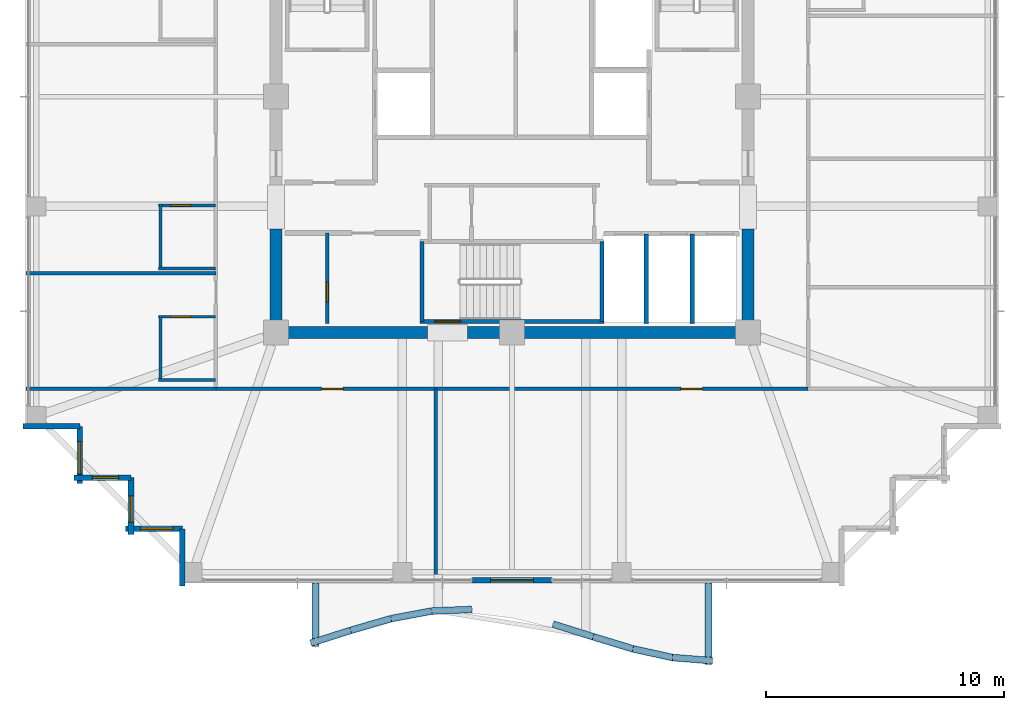
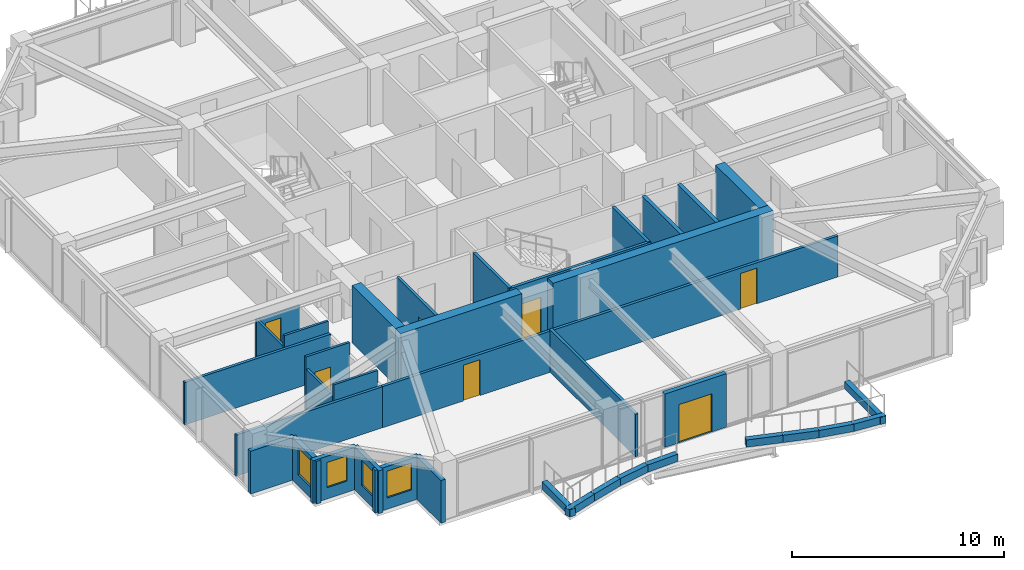
# One storey, part 30 of 36: 37 walls, 7 doors, 4 windows, 11 openings.
"""IFC4 building model written with IfcOpenShell, lengths in metres."""

from ifc_helpers import new_model, si_unit, direction, frame, frame_2d, origin, place, context, subcontext, project, spatial, rectangle, extrude, material, layer, layer_set, type_object, element, fill, save


model = new_model("IFC4")

# Units and contexts
model_context = context("Model", 3, precision=1e-05, world=origin(), true_north=direction((0.0, 1.0)))
body_context = subcontext(model_context, "Body", "Model", "MODEL_VIEW")
ifc_project = project(units=[si_unit("LENGTHUNIT", "METRE"), si_unit("AREAUNIT", "SQUARE_METRE"), si_unit("VOLUMEUNIT", "CUBIC_METRE"), si_unit("PLANEANGLEUNIT", "RADIAN"), si_unit("MASSUNIT", "GRAM", prefix="KILO")], contexts=[model_context])

# Site, building, storey
site_placement = place(None, origin())
site = spatial("IfcSite", under=ifc_project, at=site_placement, CompositionType="ELEMENT")
building_placement = place(site_placement, origin())
building = spatial("IfcBuilding", under=site, at=building_placement, Name="Kolvaren Belvedere", CompositionType="ELEMENT")
storey_placement = place(building_placement, frame((0.0, 0.0, 199.800048828125)))
storey = spatial("IfcBuildingStorey", under=building, at=storey_placement, Name="L58", CompositionType="ELEMENT", Elevation=199.800048828125)

# Walls
ifc_material_1 = material(Name="Concrete C50/60", Category="concrete")
ifc_layer_1 = layer(ifc_material_1, 0.5)
ifc_layer_set_1 = layer_set([ifc_layer_1], Name="Concrete C50/60")
wall_type_1 = type_object("IfcWallType", Name="CW-CORE-500", PredefinedType="SHEAR", material=ifc_layer_set_1)
wall_1_placement = place(storey_placement, frame((10.14990234375, -9.89990234375, 0.0), z_axis=(0.0, 0.0, 1.0), x_axis=(-1.0, 0.0, 0.0)))
element("IfcWall", 1, at=wall_1_placement, inside=storey, type_object=wall_type_1, Name="L58 South Core Shear Wall 1", PredefinedType="SHEAR", context=body_context, shape_type="SweptSolid", body=[
    extrude(rectangle(XDim=12.010009765625, YDim=0.5, at=frame_2d((6.0048828125, 0.0))), origin(), (0.0, 0.0, 1.0), 3.300048828125),
])
wall_2_placement = place(storey_placement, frame((-3.5400390625, -9.89990234375, 0.0), z_axis=(0.0, 0.0, 1.0), x_axis=(-1.0, 0.0, 0.0)))
element("IfcWall", 2, at=wall_2_placement, inside=storey, type_object=wall_type_1, Name="L58 South Core Shear Wall 2", PredefinedType="SHEAR", context=body_context, shape_type="SweptSolid", body=[
    extrude(rectangle(XDim=6.60986328125, YDim=0.5, at=frame_2d((3.304931640625, 0.0))), origin(), (0.0, 0.0, 1.0), 3.300048828125),
])
for number, where, z_axis, x_axis, name in (
    (3, (-9.89990234375, -9.64990234375, 0.0), (0.0, 0.0, 1.0), (0.0, 1.0, 0.0), "L58 West Core Shear Wall 1"),
    (4, (9.89990234375, -9.64990234375, 0.0), (0.0, 0.0, 1.0), (0.0, 1.0, 0.0), "L58 East Core Shear Wall 1"),
):
    element("IfcWall", number, at=place(storey_placement, frame(where, z_axis=z_axis, x_axis=x_axis)), inside=storey, type_object=wall_type_1, Name=name, PredefinedType="SHEAR", context=body_context, shape_type="SweptSolid", body=[
        extrude(rectangle(XDim=4.099853515625, YDim=0.5, at=frame_2d((2.0498046875, 0.0))), origin(), (0.0, 0.0, 1.0), 3.300048828125),
    ])

# Wall, opening, door
ifc_material_2 = material(Name="Concrete C50/60", Category="concrete")
ifc_layer_2 = layer(ifc_material_2, 0.159912109375)
ifc_layer_set_2 = layer_set([ifc_layer_2], Name="Concrete C50/60")
wall_type_2 = type_object("IfcWallType", Name="CW-STAIR-160", PredefinedType="SHEAR", material=ifc_layer_set_2)
wall_3_placement = place(storey_placement, frame((3.860107421875, -9.429931640625, 0.0), z_axis=(0.0, 0.0, 1.0), x_axis=(-1.0, 0.0, 0.0)))
wall_3 = element("IfcWall", 5, at=wall_3_placement, inside=storey, type_object=wall_type_2, Name="L58 Stair ST-3 South Shear Wall", PredefinedType="SHEAR", context=body_context, shape_type="SweptSolid", body=[
    extrude(rectangle(XDim=7.72021484375, YDim=0.159912109375, at=frame_2d((3.860107421875, 0.0))), origin(), (0.0, 0.0, 1.0), 3.300048828125),
])
opening_1_placement = place(wall_3_placement, frame((6.010009765625, 0.0, 0.0)))
opening_1 = element("IfcOpeningElement", 6, at=opening_1_placement, cuts=wall_3, Name="Opening D-FD90", PredefinedType="OPENING", context=body_context, shape_type="SweptSolid", body=[
    extrude(rectangle(XDim=1.10009765625, YDim=2.199951171875, at=frame_2d((0.550048828125, 1.10009765625))), frame((0.0, 0.08984375, 0.0), z_axis=(0.0, -1.0, 0.0), x_axis=(1.0, 0.0, 0.0)), (0.0, 0.0, 1.0), 0.179931640625),
])
ifc_material_3 = material(Name="Painted hollow stainless steel", Category="steel")
door_type_1 = type_object("IfcDoorType", Name="DR-FD90-1100", OperationType="NOTDEFINED", PredefinedType="DOOR", material=ifc_material_3)
door_1_placement = place(opening_1_placement, origin())
door_1 = element("IfcDoor", 7, at=door_1_placement, inside=storey, type_object=door_type_1, Name="L58 Stair ST-3 Exit Door", OperationType="SINGLE_SWING_RIGHT", OverallHeight=2.199951171875, OverallWidth=1.10009765625, PredefinedType="DOOR", context=body_context, shape_type="SweptSolid", body=[
    extrude(rectangle(XDim=1.10009765625, YDim=2.199951171875, at=frame_2d((0.550048828125, 1.10009765625))), frame((0.0, 0.02490234375, 0.0), z_axis=(0.0, -1.0, 0.0), x_axis=(1.0, 0.0, 0.0)), (0.0, 0.0, 1.0), 0.050048828125),
])
fill(opening_1, door_1)

# Walls
for number, where, z_axis, x_axis, name in (
    (8, (-3.780029296875, -9.429931640625, 0.0), (0.0, 0.0, 1.0), (0.0, 1.0, 0.0), "L58 Stair ST-3 West Shear Wall"),
    (9, (3.780029296875, -9.429931640625, 0.0), (0.0, 0.0, 1.0), (0.0, 1.0, 0.0), "L58 Stair ST-3 East Shear Wall"),
):
    element("IfcWall", number, at=place(storey_placement, frame(where, z_axis=z_axis, x_axis=x_axis)), inside=storey, type_object=wall_type_2, Name=name, PredefinedType="SHEAR", context=body_context, shape_type="SweptSolid", body=[
        extrude(rectangle(XDim=3.349853515625, YDim=0.159912109375, at=frame_2d((1.6748046875, 0.0))), origin(), (0.0, 0.0, 1.0), 3.300048828125),
    ])

# Wall, openings, doors
ifc_material_4 = material(Name="Gypsum fire-rated partition assembly", Category="gypsum")
ifc_layer_3 = layer(ifc_material_4, 0.14990234375)
ifc_layer_set_3 = layer_set([ifc_layer_3], Name="Gypsum fire-rated partition assembly")
wall_type_3 = type_object("IfcWallType", Name="WL-CORR-150", PredefinedType="PARTITIONING", material=ifc_layer_set_3)
wall_4_placement = place(storey_placement, frame((-12.419921875, -12.260009765625, 0.0), z_axis=(0.0, 0.0, 1.0), x_axis=(1.0, 0.0, 0.0)))
wall_4 = element("IfcWall", 10, at=wall_4_placement, inside=storey, type_object=wall_type_3, Name="L58 South Corridor Wall", PredefinedType="PARTITIONING", context=body_context, shape_type="SweptSolid", body=[
    extrude(rectangle(XDim=24.83984375, YDim=0.14990234375, at=frame_2d((12.419921875, 0.0))), origin(), (0.0, 0.0, 1.0), 2.368896484375),
])
opening_2_placement = place(wall_4_placement, frame((4.43505859375, 0.0, 0.0)))
opening_2 = element("IfcOpeningElement", 11, at=opening_2_placement, cuts=wall_4, Name="Opening D-INT90", PredefinedType="OPENING", context=body_context, shape_type="SweptSolid", body=[
    extrude(rectangle(XDim=0.89990234375, YDim=2.06005859375, at=frame_2d((0.449951171875, 1.030029296875))), frame((0.0, 0.0849609375, 0.0), z_axis=(0.0, -1.0, 0.0), x_axis=(1.0, 0.0, 0.0)), (0.0, 0.0, 1.0), 0.169921875),
])
opening_3_placement = place(wall_4_placement, frame((19.5048828125, 0.0, 0.0)))
opening_3 = element("IfcOpeningElement", 12, at=opening_3_placement, cuts=wall_4, Name="Opening D-INT90", PredefinedType="OPENING", context=body_context, shape_type="SweptSolid", body=[
    extrude(rectangle(XDim=0.89990234375, YDim=2.06005859375, at=frame_2d((0.449951171875, 1.030029296875))), frame((0.0, 0.0849609375, 0.0), z_axis=(0.0, -1.0, 0.0), x_axis=(1.0, 0.0, 0.0)), (0.0, 0.0, 1.0), 0.169921875),
])
ifc_material_5 = material(Name="Stained Pacific white oak", Category="timber")
door_type_2 = type_object("IfcDoorType", Name="DR-INT-900", OperationType="NOTDEFINED", PredefinedType="DOOR", material=ifc_material_5)
door_2_placement = place(opening_2_placement, origin())
door_2 = element("IfcDoor", 13, at=door_2_placement, inside=storey, type_object=door_type_2, Name="L58 Lounge 5801 Door", OperationType="SINGLE_SWING_RIGHT", OverallHeight=2.06005859375, OverallWidth=0.89990234375, PredefinedType="DOOR", context=body_context, shape_type="SweptSolid", body=[
    extrude(rectangle(XDim=0.89990234375, YDim=2.06005859375, at=frame_2d((0.449951171875, 1.030029296875))), frame((0.0, 0.02490234375, 0.0), z_axis=(0.0, -1.0, 0.0), x_axis=(1.0, 0.0, 0.0)), (0.0, 0.0, 1.0), 0.050048828125),
])
fill(opening_2, door_2)
door_3_placement = place(opening_3_placement, origin())
door_3 = element("IfcDoor", 14, at=door_3_placement, inside=storey, type_object=door_type_2, Name="L58 Lounge 5802 Door", OperationType="SINGLE_SWING_LEFT", OverallHeight=2.06005859375, OverallWidth=0.89990234375, PredefinedType="DOOR", context=body_context, shape_type="SweptSolid", body=[
    extrude(rectangle(XDim=0.89990234375, YDim=2.06005859375, at=frame_2d((0.449951171875, 1.030029296875))), frame((0.0, 0.02490234375, 0.0), z_axis=(0.0, -1.0, 0.0), x_axis=(1.0, 0.0, 0.0)), (0.0, 0.0, 1.0), 0.050048828125),
])
fill(opening_3, door_3)

# Wall, opening, door
ifc_material_6 = material(Name="Insulated pale-metal facade wall assembly", Category="aluminium")
ifc_layer_4 = layer(ifc_material_6, 0.239990234375)
ifc_layer_set_4 = layer_set([ifc_layer_4], Name="Insulated pale-metal facade wall assembly")
wall_type_4 = type_object("IfcWallType", Name="WL-EXT-240", PredefinedType="STANDARD", material=ifc_layer_set_4)
wall_5_placement = place(storey_placement, frame((1.679931640625, -20.280029296875, 0.0), z_axis=(0.0, 0.0, 1.0), x_axis=(-1.0, 0.0, 0.0)))
wall_5 = element("IfcWall", 15, at=wall_5_placement, inside=storey, type_object=wall_type_4, Name="L58 South Terrace Portal Wall", PredefinedType="STANDARD", context=body_context, shape_type="SweptSolid", body=[
    extrude(rectangle(XDim=3.35986328125, YDim=0.239990234375, at=frame_2d((1.679931640625, 0.0))), origin(), (0.0, 0.0, 1.0), 3.079833984375),
])
opening_4_placement = place(wall_5_placement, frame((0.780029296875, 0.0, 0.0)))
opening_4 = element("IfcOpeningElement", 16, at=opening_4_placement, cuts=wall_5, Name="Opening DB-1800", PredefinedType="OPENING", context=body_context, shape_type="SweptSolid", body=[
    extrude(rectangle(XDim=1.800048828125, YDim=2.199951171875, at=frame_2d((0.89990234375, 1.10009765625))), frame((0.0, 0.1298828125, 0.0), z_axis=(0.0, -1.0, 0.0), x_axis=(1.0, 0.0, 0.0)), (0.0, 0.0, 1.0), 0.260009765625),
])
ifc_material_7 = material(Name="Thermally broken pale-metal aluminium & low-iron glass", Category="aluminium")
door_type_3 = type_object("IfcDoorType", Name="DR-BAL-1800", OperationType="DOUBLE_DOOR_SLIDING", PredefinedType="DOOR", material=ifc_material_7)
door_4_placement = place(opening_4_placement, origin())
door_4 = element("IfcDoor", 17, at=door_4_placement, inside=storey, type_object=door_type_3, Name="L58 South Planted Terrace Sliding Door", OperationType="DOUBLE_DOOR_SLIDING", OverallHeight=2.199951171875, OverallWidth=1.800048828125, PredefinedType="DOOR", context=body_context, shape_type="SweptSolid", body=[
    extrude(rectangle(XDim=1.800048828125, YDim=2.199951171875, at=frame_2d((0.89990234375, 1.10009765625))), frame((0.0, 0.02490234375, 0.0), z_axis=(0.0, -1.0, 0.0), x_axis=(1.0, 0.0, 0.0)), (0.0, 0.0, 1.0), 0.050048828125),
])
fill(opening_4, door_4)

# Wall
wall_6_placement = place(storey_placement, frame((-18.1298828125, -13.830078125, 0.0), z_axis=(0.0, 0.0, 1.0), x_axis=(-1.0, 0.0, 0.0)))
element("IfcWall", 18, at=wall_6_placement, inside=storey, type_object=wall_type_4, Name="L58 Serrated Corner Facade Wall 23", PredefinedType="STANDARD", context=body_context, shape_type="SweptSolid", body=[
    extrude(rectangle(XDim=2.39013671875, YDim=0.239990234375, at=frame_2d((1.195068359375, 0.0))), origin(), (0.0, 0.0, 1.0), 2.462890625),
])

# Wall, opening, window
wall_7_placement = place(storey_placement, frame((-18.1298828125, -16.219970703125, 0.0), z_axis=(0.0, 0.0, 1.0), x_axis=(0.0, 1.0, 0.0)))
wall_7 = element("IfcWall", 19, at=wall_7_placement, inside=storey, type_object=wall_type_4, Name="L58 Serrated Corner Facade Wall 24", PredefinedType="STANDARD", context=body_context, shape_type="SweptSolid", body=[
    extrude(rectangle(XDim=2.389892578125, YDim=0.239990234375, at=frame_2d((1.19482421875, 0.0))), origin(), (0.0, 0.0, 1.0), 2.462890625),
])
opening_5_placement = place(wall_7_placement, frame((0.39990234375, 0.0, 0.64990234375)))
opening_5 = element("IfcOpeningElement", 20, at=opening_5_placement, cuts=wall_7, Name="Opening W-1350", PredefinedType="OPENING", context=body_context, shape_type="SweptSolid", body=[
    extrude(rectangle(XDim=1.35009765625, YDim=1.550048828125, at=frame_2d((0.675048828125, 0.77490234375))), frame((0.0, 0.1298828125, 0.0), z_axis=(0.0, -1.0, 0.0), x_axis=(1.0, 0.0, 0.0)), (0.0, 0.0, 1.0), 0.260009765625),
])
ifc_material_8 = material(Name="Low-iron triple insulated glass", Category="glass")
window_type_1 = type_object("IfcWindowType", Name="WN-CORN-1350", PartitioningType="SINGLE_PANEL", PredefinedType="WINDOW", material=ifc_material_8)
window_1_placement = place(opening_5_placement, origin())
window_1 = element("IfcWindow", 21, at=window_1_placement, inside=storey, type_object=window_type_1, Name="L58 Serrated Corner Vision Window 24", OverallHeight=1.550048828125, OverallWidth=1.35009765625, PartitioningType="SINGLE_PANEL", PredefinedType="WINDOW", context=body_context, shape_type="SweptSolid", body=[
    extrude(rectangle(XDim=1.35009765625, YDim=1.550048828125, at=frame_2d((0.675048828125, 0.77490234375))), frame((0.0, 0.030029296875, 0.0), z_axis=(0.0, -1.0, 0.0), x_axis=(1.0, 0.0, 0.0)), (0.0, 0.0, 1.0), 0.06005859375),
])
fill(opening_5, window_1)

wall_8_placement = place(storey_placement, frame((-15.97998046875, -15.97998046875, 0.0), z_axis=(0.0, 0.0, 1.0), x_axis=(-1.0, 0.0, 0.0)))
wall_8 = element("IfcWall", 22, at=wall_8_placement, inside=storey, type_object=wall_type_4, Name="L58 Serrated Corner Facade Wall 25", PredefinedType="STANDARD", context=body_context, shape_type="SweptSolid", body=[
    extrude(rectangle(XDim=2.39013671875, YDim=0.239990234375, at=frame_2d((1.195068359375, 0.0))), origin(), (0.0, 0.0, 1.0), 2.462890625),
])
opening_6_placement = place(wall_8_placement, frame((0.52490234375, 0.0, 0.64990234375)))
opening_6 = element("IfcOpeningElement", 23, at=opening_6_placement, cuts=wall_8, Name="Opening W-1100", PredefinedType="OPENING", context=body_context, shape_type="SweptSolid", body=[
    extrude(rectangle(XDim=1.10009765625, YDim=1.449951171875, at=frame_2d((0.550048828125, 0.72509765625))), frame((0.0, 0.1298828125, 0.0), z_axis=(0.0, -1.0, 0.0), x_axis=(1.0, 0.0, 0.0)), (0.0, 0.0, 1.0), 0.260009765625),
])
ifc_material_9 = material(Name="Low-iron triple insulated glass", Category="glass")
window_type_2 = type_object("IfcWindowType", Name="WN-CORN-1100", PartitioningType="SINGLE_PANEL", PredefinedType="WINDOW", material=ifc_material_9)
window_2_placement = place(opening_6_placement, origin())
window_2 = element("IfcWindow", 24, at=window_2_placement, inside=storey, type_object=window_type_2, Name="L58 Serrated Corner Vision Window 25", OverallHeight=1.449951171875, OverallWidth=1.10009765625, PartitioningType="SINGLE_PANEL", PredefinedType="WINDOW", context=body_context, shape_type="SweptSolid", body=[
    extrude(rectangle(XDim=1.10009765625, YDim=1.449951171875, at=frame_2d((0.550048828125, 0.72509765625))), frame((0.0, 0.030029296875, 0.0), z_axis=(0.0, -1.0, 0.0), x_axis=(1.0, 0.0, 0.0)), (0.0, 0.0, 1.0), 0.06005859375),
])
fill(opening_6, window_2)

wall_9_placement = place(storey_placement, frame((-15.97998046875, -18.3701171875, 0.0), z_axis=(0.0, 0.0, 1.0), x_axis=(0.0, 1.0, 0.0)))
wall_9 = element("IfcWall", 25, at=wall_9_placement, inside=storey, type_object=wall_type_4, Name="L58 Serrated Corner Facade Wall 26", PredefinedType="STANDARD", context=body_context, shape_type="SweptSolid", body=[
    extrude(rectangle(XDim=2.39013671875, YDim=0.239990234375, at=frame_2d((1.195068359375, 0.0))), origin(), (0.0, 0.0, 1.0), 2.462890625),
])
opening_7_placement = place(wall_9_placement, frame((0.52490234375, 0.0, 0.64990234375)))
opening_7 = element("IfcOpeningElement", 26, at=opening_7_placement, cuts=wall_9, Name="Opening W-1100", PredefinedType="OPENING", context=body_context, shape_type="SweptSolid", body=[
    extrude(rectangle(XDim=1.10009765625, YDim=1.449951171875, at=frame_2d((0.550048828125, 0.72509765625))), frame((0.0, 0.1298828125, 0.0), z_axis=(0.0, -1.0, 0.0), x_axis=(1.0, 0.0, 0.0)), (0.0, 0.0, 1.0), 0.260009765625),
])
window_3_placement = place(opening_7_placement, origin())
window_3 = element("IfcWindow", 27, at=window_3_placement, inside=storey, type_object=window_type_2, Name="L58 Serrated Corner Vision Window 26", OverallHeight=1.449951171875, OverallWidth=1.10009765625, PartitioningType="SINGLE_PANEL", PredefinedType="WINDOW", context=body_context, shape_type="SweptSolid", body=[
    extrude(rectangle(XDim=1.10009765625, YDim=1.449951171875, at=frame_2d((0.550048828125, 0.72509765625))), frame((0.0, 0.030029296875, 0.0), z_axis=(0.0, -1.0, 0.0), x_axis=(1.0, 0.0, 0.0)), (0.0, 0.0, 1.0), 0.06005859375),
])
fill(opening_7, window_3)

wall_10_placement = place(storey_placement, frame((-13.830078125, -18.1298828125, 0.0), z_axis=(0.0, 0.0, 1.0), x_axis=(-1.0, 0.0, 0.0)))
wall_10 = element("IfcWall", 28, at=wall_10_placement, inside=storey, type_object=wall_type_4, Name="L58 Serrated Corner Facade Wall 27", PredefinedType="STANDARD", context=body_context, shape_type="SweptSolid", body=[
    extrude(rectangle(XDim=2.389892578125, YDim=0.239990234375, at=frame_2d((1.19482421875, 0.0))), origin(), (0.0, 0.0, 1.0), 2.462890625),
])
opening_8_placement = place(wall_10_placement, frame((0.39990234375, 0.0, 0.64990234375)))
opening_8 = element("IfcOpeningElement", 29, at=opening_8_placement, cuts=wall_10, Name="Opening W-1350", PredefinedType="OPENING", context=body_context, shape_type="SweptSolid", body=[
    extrude(rectangle(XDim=1.35009765625, YDim=1.550048828125, at=frame_2d((0.675048828125, 0.77490234375))), frame((0.0, 0.1298828125, 0.0), z_axis=(0.0, -1.0, 0.0), x_axis=(1.0, 0.0, 0.0)), (0.0, 0.0, 1.0), 0.260009765625),
])
window_4_placement = place(opening_8_placement, origin())
window_4 = element("IfcWindow", 30, at=window_4_placement, inside=storey, type_object=window_type_1, Name="L58 Serrated Corner Vision Window 27", OverallHeight=1.550048828125, OverallWidth=1.35009765625, PartitioningType="SINGLE_PANEL", PredefinedType="WINDOW", context=body_context, shape_type="SweptSolid", body=[
    extrude(rectangle(XDim=1.35009765625, YDim=1.550048828125, at=frame_2d((0.675048828125, 0.77490234375))), frame((0.0, 0.030029296875, 0.0), z_axis=(0.0, -1.0, 0.0), x_axis=(1.0, 0.0, 0.0)), (0.0, 0.0, 1.0), 0.06005859375),
])
fill(opening_8, window_4)

# Wall
wall_11_placement = place(storey_placement, frame((-13.830078125, -20.52001953125, 0.0), z_axis=(0.0, 0.0, 1.0), x_axis=(0.0, 1.0, 0.0)))
element("IfcWall", 31, at=wall_11_placement, inside=storey, type_object=wall_type_4, Name="L58 Serrated Corner Facade Wall 28", PredefinedType="STANDARD", context=body_context, shape_type="SweptSolid", body=[
    extrude(rectangle(XDim=2.39013671875, YDim=0.239990234375, at=frame_2d((1.195068359375, 0.0))), origin(), (0.0, 0.0, 1.0), 2.462890625),
])

# Wall, opening, door
ifc_material_10 = material(Name="Gypsum acoustic partition assembly", Category="gypsum")
ifc_layer_5 = layer(ifc_material_10, 0.14990234375)
ifc_layer_set_5 = layer_set([ifc_layer_5], Name="Gypsum acoustic partition assembly")
wall_type_5 = type_object("IfcWallType", Name="WL-PART-150", PredefinedType="PARTITIONING", material=ifc_layer_set_5)
wall_12_placement = place(storey_placement, frame((-7.75, -9.52001953125, 0.0), z_axis=(0.0, 0.0, 1.0), x_axis=(0.0, 1.0, 0.0)))
wall_12 = element("IfcWall", 32, at=wall_12_placement, inside=storey, type_object=wall_type_5, Name="L58 Reclaimed Mid Store Divider", PredefinedType="PARTITIONING", context=body_context, shape_type="SweptSolid", body=[
    extrude(rectangle(XDim=3.800048828125, YDim=0.14990234375, at=frame_2d((1.89990234375, 0.0))), origin(), (0.0, 0.0, 1.0), 3.079833984375),
])
opening_9_placement = place(wall_12_placement, frame((0.89990234375, 0.0, 0.0)))
opening_9 = element("IfcOpeningElement", 33, at=opening_9_placement, cuts=wall_12, Name="Opening D-INT85", PredefinedType="OPENING", context=body_context, shape_type="SweptSolid", body=[
    extrude(rectangle(XDim=0.85009765625, YDim=2.030029296875, at=frame_2d((0.425048828125, 1.01513671875))), frame((0.0, 0.0849609375, 0.0), z_axis=(0.0, -1.0, 0.0), x_axis=(1.0, 0.0, 0.0)), (0.0, 0.0, 1.0), 0.169921875),
])
ifc_material_11 = material(Name="Stained Pacific white oak", Category="timber")
door_type_4 = type_object("IfcDoorType", Name="DR-INT-850", OperationType="NOTDEFINED", PredefinedType="DOOR", material=ifc_material_11)
door_5_placement = place(opening_9_placement, origin())
door_5 = element("IfcDoor", 34, at=door_5_placement, inside=storey, type_object=door_type_4, Name="L58 Janitor Store Door", OperationType="SINGLE_SWING_RIGHT", OverallHeight=2.030029296875, OverallWidth=0.85009765625, PredefinedType="DOOR", context=body_context, shape_type="SweptSolid", body=[
    extrude(rectangle(XDim=0.85009765625, YDim=2.030029296875, at=frame_2d((0.425048828125, 1.01513671875))), frame((0.0, 0.02490234375, 0.0), z_axis=(0.0, -1.0, 0.0), x_axis=(1.0, 0.0, 0.0)), (0.0, 0.0, 1.0), 0.050048828125),
])
fill(opening_9, door_5)

# Walls
wall_13_placement = place(storey_placement, frame((-20.3798828125, -12.260009765625, 0.0), z_axis=(0.0, 0.0, 1.0), x_axis=(1.0, 0.0, 0.0)))
element("IfcWall", 35, at=wall_13_placement, inside=storey, type_object=wall_type_5, Name="L58 Wing Divider PW-L58-QSW", PredefinedType="PARTITIONING", context=body_context, shape_type="SweptSolid", body=[
    extrude(rectangle(XDim=7.9599609375, YDim=0.14990234375, at=frame_2d((3.97998046875, 0.0))), origin(), (0.0, 0.0, 1.0), 2.368896484375),
])
wall_14_placement = place(storey_placement, frame((-3.199951171875, -20.3798828125, 0.0), z_axis=(0.0, 0.0, 1.0), x_axis=(0.0, 1.0, 0.0)))
element("IfcWall", 36, at=wall_14_placement, inside=storey, type_object=wall_type_5, Name="L58 South Suite Demising Wall 1", PredefinedType="PARTITIONING", context=body_context, shape_type="SweptSolid", body=[
    extrude(rectangle(XDim=8.119873046875, YDim=0.14990234375, at=frame_2d((4.06005859375, 0.0))), origin(), (0.0, 0.0, 1.0), 2.452880859375),
])
wall_15_placement = place(storey_placement, frame((-20.3798828125, -7.39990234375, 0.0), z_axis=(0.0, 0.0, 1.0), x_axis=(1.0, 0.0, 0.0)))
element("IfcWall", 37, at=wall_15_placement, inside=storey, type_object=wall_type_5, Name="L58 West Suite Demising Wall 1", PredefinedType="PARTITIONING", context=body_context, shape_type="SweptSolid", body=[
    extrude(rectangle(XDim=7.9599609375, YDim=0.14990234375, at=frame_2d((3.97998046875, 0.0))), origin(), (0.0, 0.0, 1.0), 2.452880859375),
])
ifc_material_12 = material(Name="Precast concrete C40/50", Category="concrete")
ifc_layer_6 = layer(ifc_material_12, 0.300048828125)
ifc_layer_set_6 = layer_set([ifc_layer_6], Name="Precast concrete C40/50")
wall_type_6 = type_object("IfcWallType", Name="WL-PLANTER-300", PredefinedType="PARAPET", material=ifc_layer_set_6)
wall_16_placement = place(storey_placement, frame((-8.448486328125, -22.92138671875, -0.0400390625), z_axis=(0.0, 0.0, 1.0), x_axis=(0.952661770826, 0.304032153573, 0.0)))
element("IfcWall", 38, at=wall_16_placement, inside=storey, type_object=wall_type_6, Name="L58 Precast Structural Planter Wall BAL-S-1", PredefinedType="PARAPET", context=body_context, shape_type="SweptSolid", body=[
    extrude(rectangle(XDim=1.763427734375, YDim=0.280029296875, at=frame_2d((0.8818359375, 0.0))), origin(), (0.0, 0.0, 1.0), 0.419921875),
])
wall_17_placement = place(storey_placement, frame((-6.764404296875, -22.3837890625, -0.0400390625), z_axis=(0.0, 0.0, 1.0), x_axis=(0.960633903819, 0.277817391164, 0.0)))
element("IfcWall", 39, at=wall_17_placement, inside=storey, type_object=wall_type_6, Name="L58 Precast Structural Planter Wall BAL-S-2", PredefinedType="PARAPET", context=body_context, shape_type="SweptSolid", body=[
    extrude(rectangle(XDim=1.748779296875, YDim=0.280029296875, at=frame_2d((0.87451171875, 0.0))), origin(), (0.0, 0.0, 1.0), 0.419921875),
])
wall_18_placement = place(storey_placement, frame((-5.069580078125, -21.894287109375, -0.0400390625), z_axis=(0.0, 0.0, 1.0), x_axis=(0.982799348901, 0.18467658162, 0.0)))
element("IfcWall", 40, at=wall_18_placement, inside=storey, type_object=wall_type_6, Name="L58 Precast Structural Planter Wall BAL-S-3", PredefinedType="PARAPET", context=body_context, shape_type="SweptSolid", body=[
    extrude(rectangle(XDim=1.709228515625, YDim=0.280029296875, at=frame_2d((0.8544921875, 0.0))), origin(), (0.0, 0.0, 1.0), 0.419921875),
])
wall_19_placement = place(storey_placement, frame((-3.366455078125, -21.575927734375, -0.0400390625), z_axis=(0.0, 0.0, 1.0), x_axis=(0.999196778482, 0.040072407855, 0.0)))
element("IfcWall", 41, at=wall_19_placement, inside=storey, type_object=wall_type_6, Name="L58 Precast Structural Planter Wall BAL-S-4", PredefinedType="PARAPET", context=body_context, shape_type="SweptSolid", body=[
    extrude(rectangle(XDim=1.681640625, YDim=0.280029296875, at=frame_2d((0.8408203125, 0.0))), origin(), (0.0, 0.0, 1.0), 0.419921875),
])
wall_20_placement = place(storey_placement, frame((1.727783203125, -22.127685546875, -0.0400390625), z_axis=(0.0, 0.0, 1.0), x_axis=(0.954069594374, -0.299585061529, 0.0)))
element("IfcWall", 42, at=wall_20_placement, inside=storey, type_object=wall_type_6, Name="L58 Precast Structural Planter Wall BAL-S-7", PredefinedType="PARAPET", context=body_context, shape_type="SweptSolid", body=[
    extrude(rectangle(XDim=1.760986328125, YDim=0.280029296875, at=frame_2d((0.88037109375, 0.0))), origin(), (0.0, 0.0, 1.0), 0.419921875),
])
wall_21_placement = place(storey_placement, frame((3.406494140625, -22.65478515625, -0.0400390625), z_axis=(0.0, 0.0, 1.0), x_axis=(0.956771481005, -0.290840734999, 0.0)))
element("IfcWall", 43, at=wall_21_placement, inside=storey, type_object=wall_type_6, Name="L58 Precast Structural Planter Wall BAL-S-8", PredefinedType="PARAPET", context=body_context, shape_type="SweptSolid", body=[
    extrude(rectangle(XDim=1.756103515625, YDim=0.280029296875, at=frame_2d((0.8779296875, 0.0))), origin(), (0.0, 0.0, 1.0), 0.419921875),
])
wall_22_placement = place(storey_placement, frame((5.07421875, -23.162353515625, -0.0400390625), z_axis=(0.0, 0.0, 1.0), x_axis=(0.976876857632, -0.213802724545, 0.0)))
element("IfcWall", 44, at=wall_22_placement, inside=storey, type_object=wall_type_6, Name="L58 Precast Structural Planter Wall BAL-S-9", PredefinedType="PARAPET", context=body_context, shape_type="SweptSolid", body=[
    extrude(rectangle(XDim=1.7197265625, YDim=0.280029296875, at=frame_2d((0.85986328125, 0.0))), origin(), (0.0, 0.0, 1.0), 0.419921875),
])
wall_23_placement = place(storey_placement, frame((6.732666015625, -23.52685546875, -0.0400390625), z_axis=(0.0, 0.0, 1.0), x_axis=(0.99685522818, -0.079244268248, 0.0)))
element("IfcWall", 45, at=wall_23_placement, inside=storey, type_object=wall_type_6, Name="L58 Precast Structural Planter Wall BAL-S-10", PredefinedType="PARAPET", context=body_context, shape_type="SweptSolid", body=[
    extrude(rectangle(XDim=1.685302734375, YDim=0.280029296875, at=frame_2d((0.8427734375, 0.0))), origin(), (0.0, 0.0, 1.0), 0.419921875),
])
wall_24_placement = place(storey_placement, frame((8.239990234375, -23.820068359375, -0.0400390625), z_axis=(0.0, 0.0, 1.0), x_axis=(0.0, 1.0, 0.0)))
element("IfcWall", 46, at=wall_24_placement, inside=storey, type_object=wall_type_6, Name="L58 Precast Structural Planter Wall BAL-S-11", PredefinedType="PARAPET", context=body_context, shape_type="SweptSolid", body=[
    extrude(rectangle(XDim=3.420166015625, YDim=0.280029296875, at=frame_2d((1.7099609375, 0.0))), origin(), (0.0, 0.0, 1.0), 0.419921875),
])
wall_25_placement = place(storey_placement, frame((-8.239990234375, -20.39990234375, -0.0400390625), z_axis=(0.0, 0.0, 1.0), x_axis=(0.0, -1.0, 0.0)))
element("IfcWall", 47, at=wall_25_placement, inside=storey, type_object=wall_type_6, Name="L58 Precast Structural Planter Wall BAL-S-22", PredefinedType="PARAPET", context=body_context, shape_type="SweptSolid", body=[
    extrude(rectangle(XDim=2.673828125, YDim=0.280029296875, at=frame_2d((1.3369140625, 0.0))), origin(), (0.0, 0.0, 1.0), 0.419921875),
])
ifc_material_13 = material(Name="Concrete C50/60", Category="concrete")
ifc_layer_7 = layer(ifc_material_13, 0.199951171875)
ifc_layer_set_7 = layer_set([ifc_layer_7], Name="Concrete C50/60")
wall_type_7 = type_object("IfcWallType", Name="WL-SHAFT-200", PredefinedType="SOLIDWALL", material=ifc_layer_set_7)
for number, where, z_axis, x_axis, name in (
    (48, (5.6298828125, -9.52001953125, 0.0), (0.0, 0.0, 1.0), (0.0, 1.0, 0.0), "L58 High-Rise Hoistway Divider 1"),
    (49, (7.56005859375, -9.52001953125, 0.0), (0.0, 0.0, 1.0), (0.0, 1.0, 0.0), "L58 High-Rise Hoistway Divider 2"),
):
    element("IfcWall", number, at=place(storey_placement, frame(where, z_axis=z_axis, x_axis=x_axis)), inside=storey, type_object=wall_type_7, Name=name, PredefinedType="SOLIDWALL", context=body_context, shape_type="SweptSolid", body=[
        extrude(rectangle(XDim=3.77001953125, YDim=0.199951171875, at=frame_2d((1.885009765625, 0.0))), origin(), (0.0, 0.0, 1.0), 3.079833984375),
    ])

# Wall, opening, door
ifc_material_14 = material(Name="Moisture-resistant gypsum partition", Category="gypsum")
ifc_layer_8 = layer(ifc_material_14, 0.125)
ifc_layer_set_8 = layer_set([ifc_layer_8], Name="Moisture-resistant gypsum partition")
wall_type_8 = type_object("IfcWallType", Name="WL-WET-125", PredefinedType="PARTITIONING", material=ifc_layer_set_8)
wall_26_placement = place(storey_placement, frame((-14.824951171875, -9.23095703125, 0.0), z_axis=(0.0, 0.0, 1.0), x_axis=(1.0, 0.0, 0.0)))
wall_26 = element("IfcWall", 50, at=wall_26_placement, inside=storey, type_object=wall_type_8, Name="L58 Bathroom Partition PW-L58-BTH-8-N", PredefinedType="PARTITIONING", context=body_context, shape_type="SweptSolid", body=[
    extrude(rectangle(XDim=2.389892578125, YDim=0.125, at=frame_2d((1.19482421875, 0.0))), origin(), (0.0, 0.0, 1.0), 3.079833984375),
])
opening_10_placement = place(wall_26_placement, frame((0.5, 0.0, 0.0)))
opening_10 = element("IfcOpeningElement", 51, at=opening_10_placement, cuts=wall_26, Name="Opening D-BTH85", PredefinedType="OPENING", context=body_context, shape_type="SweptSolid", body=[
    extrude(rectangle(XDim=0.85009765625, YDim=2.030029296875, at=frame_2d((0.425048828125, 1.01513671875))), frame((0.0, 0.072509765625, 0.0), z_axis=(0.0, -1.0, 0.0), x_axis=(1.0, 0.0, 0.0)), (0.0, 0.0, 1.0), 0.14501953125),
])
ifc_material_15 = material(Name="Moisture-sealed Pacific white oak", Category="timber")
door_type_5 = type_object("IfcDoorType", Name="DR-BATH-850", OperationType="NOTDEFINED", PredefinedType="DOOR", material=ifc_material_15)
door_6_placement = place(opening_10_placement, origin())
door_6 = element("IfcDoor", 52, at=door_6_placement, inside=storey, type_object=door_type_5, Name="L58 En-Suite Bathroom 5808 Door", OperationType="SINGLE_SWING_RIGHT", OverallHeight=2.030029296875, OverallWidth=0.85009765625, PredefinedType="DOOR", context=body_context, shape_type="SweptSolid", body=[
    extrude(rectangle(XDim=0.85009765625, YDim=2.030029296875, at=frame_2d((0.425048828125, 1.01513671875))), frame((0.0, 0.02490234375, 0.0), z_axis=(0.0, -1.0, 0.0), x_axis=(1.0, 0.0, 0.0)), (0.0, 0.0, 1.0), 0.050048828125),
])
fill(opening_10, door_6)

# Walls
wall_27_placement = place(storey_placement, frame((-14.7451171875, -11.94091796875, 0.0), z_axis=(0.0, 0.0, 1.0), x_axis=(0.0, 1.0, 0.0)))
element("IfcWall", 53, at=wall_27_placement, inside=storey, type_object=wall_type_8, Name="L58 Bathroom Partition PW-L58-BTH-8-V", PredefinedType="PARTITIONING", context=body_context, shape_type="SweptSolid", body=[
    extrude(rectangle(XDim=2.77001953125, YDim=0.125, at=frame_2d((1.385009765625, 0.0))), origin(), (0.0, 0.0, 1.0), 2.368896484375),
])
wall_28_placement = place(storey_placement, frame((-14.824951171875, -11.881103515625, 0.0), z_axis=(0.0, 0.0, 1.0), x_axis=(1.0, 0.0, 0.0)))
element("IfcWall", 54, at=wall_28_placement, inside=storey, type_object=wall_type_8, Name="L58 Bathroom Partition PW-L58-BTH-8-S", PredefinedType="PARTITIONING", context=body_context, shape_type="SweptSolid", body=[
    extrude(rectangle(XDim=2.389892578125, YDim=0.125, at=frame_2d((1.19482421875, 0.0))), origin(), (0.0, 0.0, 1.0), 3.079833984375),
])

# Wall, opening, door
wall_29_placement = place(storey_placement, frame((-14.824951171875, -4.554931640625, 0.0), z_axis=(0.0, 0.0, 1.0), x_axis=(1.0, 0.0, 0.0)))
wall_29 = element("IfcWall", 55, at=wall_29_placement, inside=storey, type_object=wall_type_8, Name="L58 Bathroom Partition PW-L58-BTH-9-N", PredefinedType="PARTITIONING", context=body_context, shape_type="SweptSolid", body=[
    extrude(rectangle(XDim=2.389892578125, YDim=0.125, at=frame_2d((1.19482421875, 0.0))), origin(), (0.0, 0.0, 1.0), 2.368896484375),
])
opening_11_placement = place(wall_29_placement, frame((0.5, 0.0, 0.0)))
opening_11 = element("IfcOpeningElement", 56, at=opening_11_placement, cuts=wall_29, Name="Opening D-BTH85", PredefinedType="OPENING", context=body_context, shape_type="SweptSolid", body=[
    extrude(rectangle(XDim=0.85009765625, YDim=2.030029296875, at=frame_2d((0.425048828125, 1.01513671875))), frame((0.0, 0.072509765625, 0.0), z_axis=(0.0, -1.0, 0.0), x_axis=(1.0, 0.0, 0.0)), (0.0, 0.0, 1.0), 0.14501953125),
])
door_7_placement = place(opening_11_placement, origin())
door_7 = element("IfcDoor", 57, at=door_7_placement, inside=storey, type_object=door_type_5, Name="L58 En-Suite Bathroom 5809 Door", OperationType="SINGLE_SWING_RIGHT", OverallHeight=2.030029296875, OverallWidth=0.85009765625, PredefinedType="DOOR", context=body_context, shape_type="SweptSolid", body=[
    extrude(rectangle(XDim=0.85009765625, YDim=2.030029296875, at=frame_2d((0.425048828125, 1.01513671875))), frame((0.0, 0.02490234375, 0.0), z_axis=(0.0, -1.0, 0.0), x_axis=(1.0, 0.0, 0.0)), (0.0, 0.0, 1.0), 0.050048828125),
])
fill(opening_11, door_7)

# Walls
wall_30_placement = place(storey_placement, frame((-14.7451171875, -7.264892578125, 0.0), z_axis=(0.0, 0.0, 1.0), x_axis=(0.0, 1.0, 0.0)))
element("IfcWall", 58, at=wall_30_placement, inside=storey, type_object=wall_type_8, Name="L58 Bathroom Partition PW-L58-BTH-9-V", PredefinedType="PARTITIONING", context=body_context, shape_type="SweptSolid", body=[
    extrude(rectangle(XDim=2.769775390625, YDim=0.125, at=frame_2d((1.384765625, 0.0))), origin(), (0.0, 0.0, 1.0), 2.368896484375),
])
wall_31_placement = place(storey_placement, frame((-14.824951171875, -7.205078125, 0.0), z_axis=(0.0, 0.0, 1.0), x_axis=(1.0, 0.0, 0.0)))
element("IfcWall", 59, at=wall_31_placement, inside=storey, type_object=wall_type_8, Name="L58 Bathroom Partition PW-L58-BTH-9-S", PredefinedType="PARTITIONING", context=body_context, shape_type="SweptSolid", body=[
    extrude(rectangle(XDim=2.389892578125, YDim=0.125, at=frame_2d((1.19482421875, 0.0))), origin(), (0.0, 0.0, 1.0), 3.079833984375),
])

save(model, "model.ifc")
